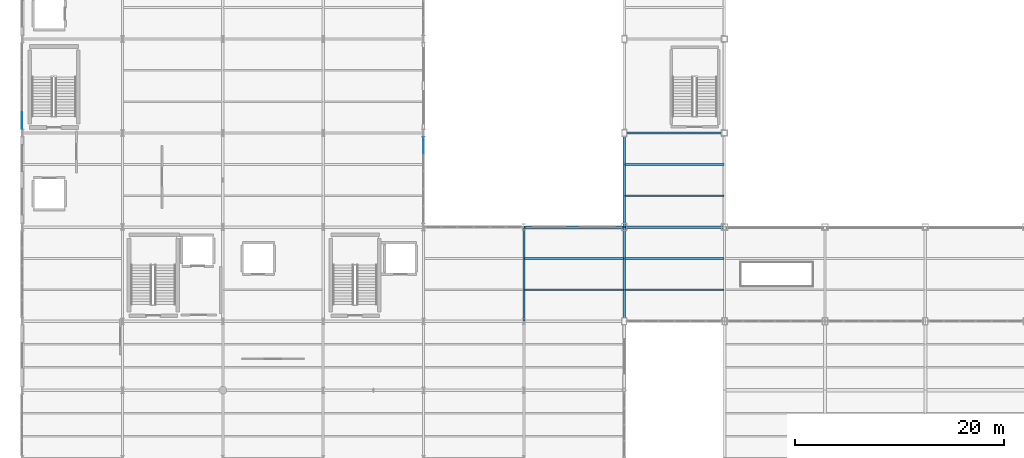
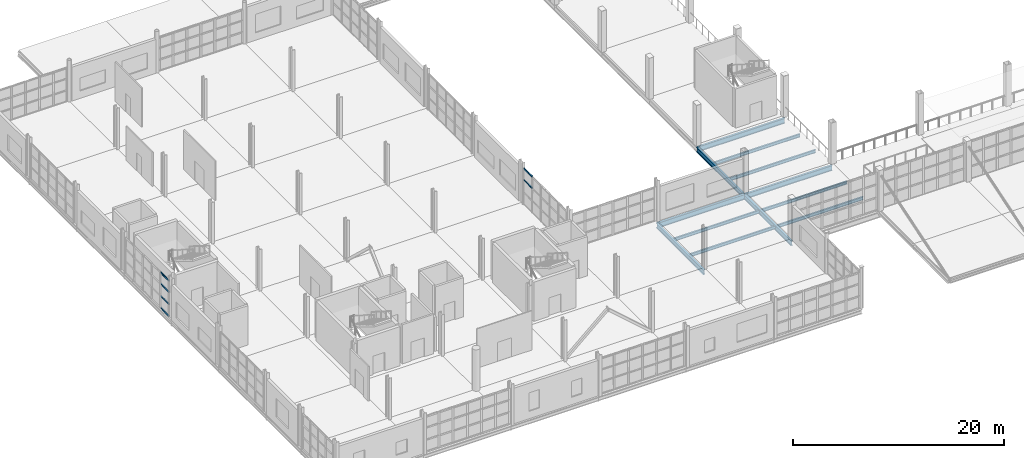
# One storey, part 21 of 120: 12 beams, 6 members, 2 elements without a shape of their own.
"""IFC4 building model written with IfcOpenShell, lengths in metres."""

from ifc_helpers import new_model, si_unit, direction, frame, origin, origin_2d, place, context, subcontext, project, spatial, rectangle, i_section, extrude, material, layer, layer_set, material_profile, profile_set, type_object, element, aggregate, save


model = new_model("IFC4")

# Units and contexts
model_context = context("Model", 3, precision=1e-05, world=origin(), true_north=direction((0.0, 1.0)))
body_context = subcontext(model_context, "Body", "Model", "MODEL_VIEW")
ifc_project = project(units=[si_unit("LENGTHUNIT", "METRE"), si_unit("AREAUNIT", "SQUARE_METRE"), si_unit("VOLUMEUNIT", "CUBIC_METRE"), si_unit("PLANEANGLEUNIT", "RADIAN"), si_unit("MASSUNIT", "GRAM", prefix="KILO")], contexts=[model_context])

# Site, building, storey
site_placement = place(None, origin())
site = spatial("IfcSite", under=ifc_project, at=site_placement, CompositionType="ELEMENT")
building_placement = place(site_placement, origin())
building = spatial("IfcBuilding", under=site, at=building_placement, Name="Zarnetskaya Central Station", CompositionType="ELEMENT")
storey_placement = place(building_placement, frame((0.0, 0.0, 5.39990234375)))
storey = spatial("IfcBuildingStorey", under=building, at=storey_placement, Name="L01", CompositionType="ELEMENT", Elevation=5.39990234375)

# Beams
ifc_material_1 = material(Name="Steel S355", Category="steel")
ifc_material_profile_1 = material_profile(ifc_material_1, i_section(OverallWidth=0.169921875, OverallDepth=0.360107421875, WebThickness=0.008056640625, FlangeThickness=0.0126953125, FilletRadius=0.01806640625, at=origin_2d()), Name="IPE 360")
ifc_profile_set_1 = profile_set([ifc_material_profile_1], Name="Steel S355")
beam_type_1 = type_object("IfcBeamType", Name="BM-SEC-360", PredefinedType="BEAM", material=ifc_profile_set_1)
for number, where, z_axis, x_axis, name in (
    (1, (48.080078125, 16.199951171875, -0.4599609375), (1.0, 0.0, 0.0), (0.0, 1.0, 0.0), "Secondary floor beam SEC-L01-Z512-FG-34-1"),
    (2, (48.080078125, 19.199951171875, -0.4599609375), (1.0, 0.0, 0.0), (0.0, 1.0, 0.0), "Secondary floor beam SEC-L01-Z512-FG-34-2"),
):
    element("IfcBeam", number, at=place(storey_placement, frame(where, z_axis=z_axis, x_axis=x_axis)), inside=storey, type_object=beam_type_1, Name=name, PredefinedType="BEAM", context=body_context, shape_type="SweptSolid", body=[
        extrude(i_section(OverallWidth=0.169921875, OverallDepth=0.360107421875, WebThickness=0.008056640625, FlangeThickness=0.0126953125, FilletRadius=0.01806640625, at=origin_2d()), origin(), (0.0, 0.0, 1.0), 9.43994140625),
    ])
for number, where, z_axis, x_axis, name in (
    (3, (57.679931640625, 16.199951171875, -0.4599609375), (1.0, 0.0, 0.0), (0.0, 1.0, 0.0), "Secondary floor beam SEC-L01-Z512-GH-34-1"),
    (4, (57.679931640625, 19.199951171875, -0.4599609375), (1.0, 0.0, 0.0), (0.0, 1.0, 0.0), "Secondary floor beam SEC-L01-Z512-GH-34-2"),
    (5, (57.679931640625, 25.199951171875, -0.4599609375), (1.0, 0.0, 0.0), (0.0, 1.0, 0.0), "Secondary floor beam SEC-L01-Z512-GH-45-1"),
    (6, (57.679931640625, 28.199951171875, -0.4599609375), (1.0, 0.0, 0.0), (0.0, 1.0, 0.0), "Secondary floor beam SEC-L01-Z512-GH-45-2"),
):
    element("IfcBeam", number, at=place(storey_placement, frame(where, z_axis=z_axis, x_axis=x_axis)), inside=storey, type_object=beam_type_1, Name=name, PredefinedType="BEAM", context=body_context, shape_type="SweptSolid", body=[
        extrude(i_section(OverallWidth=0.169921875, OverallDepth=0.360107421875, WebThickness=0.008056640625, FlangeThickness=0.0126953125, FilletRadius=0.01806640625, at=origin_2d()), origin(), (0.0, 0.0, 1.0), 9.440185546875),
    ])

# Curtain wall, members
ifc_material_2 = material(Name="Low-E insulated glass", Category="glass")
ifc_layer = layer(ifc_material_2, 0.1640625, Name="Low-E insulated glass", Category="glass")
ifc_layer_set = layer_set([ifc_layer], Name="Low-E insulated glass")
curtain_wall_type = type_object("IfcCurtainWallType", Name="CW-SYS-07", PredefinedType="USERDEFINED", material=ifc_layer_set)
curtain_wall_1_placement = place(storey_placement, origin())
curtain_wall_1 = element("IfcCurtainWall", 7, at=curtain_wall_1_placement, inside=storey, type_object=curtain_wall_type, Name="Curtain wall CW-L01-003", ObjectType="CURTAIN WALL", PredefinedType="USERDEFINED")
ifc_material_3 = material(Name="Anodised aluminium", Category="aluminium")
ifc_material_profile_2 = material_profile(ifc_material_3, rectangle(XDim=0.070068359375, YDim=0.139892578125, at=origin_2d()), Name="ALU TRAN 70x140")
ifc_profile_set_2 = profile_set([ifc_material_profile_2], Name="Anodised aluminium")
member_type = type_object("IfcMemberType", Name="CW-TRAN-140", PredefinedType="USERDEFINED", material=ifc_profile_set_2)
member_1_placement = place(storey_placement, frame((0.0, 31.6201171875, 0.03515625), z_axis=(0.0, 1.0, 0.0), x_axis=(-1.0, 0.0, 0.0)))
member_1 = element("IfcMember", 8, at=member_1_placement, type_object=member_type, Name="CW-06 transom 1.1", ObjectType="TRANSOM", PredefinedType="USERDEFINED", context=body_context, shape_type="SweptSolid", body=[
    extrude(rectangle(XDim=0.070068359375, YDim=0.139892578125, at=origin_2d()), origin(), (0.0, 0.0, 1.0), 1.554931640625),
])
member_2_placement = place(storey_placement, frame((0.0, 31.6201171875, 1.408203125), z_axis=(0.0, 1.0, 0.0), x_axis=(-1.0, 0.0, 0.0)))
member_2 = element("IfcMember", 9, at=member_2_placement, type_object=member_type, Name="CW-06 transom 1.2", ObjectType="TRANSOM", PredefinedType="USERDEFINED", context=body_context, shape_type="SweptSolid", body=[
    extrude(rectangle(XDim=0.070068359375, YDim=0.139892578125, at=origin_2d()), origin(), (0.0, 0.0, 1.0), 1.554931640625),
])
member_3_placement = place(storey_placement, frame((0.0, 31.6201171875, 2.815185546875), z_axis=(0.0, 1.0, 0.0), x_axis=(-1.0, 0.0, 0.0)))
member_3 = element("IfcMember", 10, at=member_3_placement, type_object=member_type, Name="CW-06 transom 1.3", ObjectType="TRANSOM", PredefinedType="USERDEFINED", context=body_context, shape_type="SweptSolid", body=[
    extrude(rectangle(XDim=0.070068359375, YDim=0.139892578125, at=origin_2d()), origin(), (0.0, 0.0, 1.0), 1.554931640625),
])
member_4_placement = place(storey_placement, frame((0.0, 31.6201171875, 4.10498046875), z_axis=(0.0, 1.0, 0.0), x_axis=(-1.0, 0.0, 0.0)))
member_4 = element("IfcMember", 11, at=member_4_placement, type_object=member_type, Name="CW-06 transom 1.4", ObjectType="TRANSOM", PredefinedType="USERDEFINED", context=body_context, shape_type="SweptSolid", body=[
    extrude(rectangle(XDim=0.070068359375, YDim=0.139892578125, at=origin_2d()), origin(), (0.0, 0.0, 1.0), 1.554931640625),
])
aggregate(curtain_wall_1, [member_1, member_2, member_3, member_4])

curtain_wall_2_placement = place(storey_placement, origin())
curtain_wall_2 = element("IfcCurtainWall", 12, at=curtain_wall_2_placement, inside=storey, type_object=curtain_wall_type, Name="Curtain wall CW-L01-009", ObjectType="CURTAIN WALL", PredefinedType="USERDEFINED")
member_5_placement = place(storey_placement, frame((38.39990234375, 30.780029296875, 2.856201171875), z_axis=(0.0, -1.0, 0.0), x_axis=(1.0, 0.0, 0.0)))
member_5 = element("IfcMember", 13, at=member_5_placement, type_object=member_type, Name="CW-06 transom 1.3", ObjectType="TRANSOM", PredefinedType="USERDEFINED", context=body_context, shape_type="SweptSolid", body=[
    extrude(rectangle(XDim=0.070068359375, YDim=0.139892578125, at=origin_2d()), origin(), (0.0, 0.0, 1.0), 1.554931640625),
])
member_6_placement = place(storey_placement, frame((38.39990234375, 30.780029296875, 4.1650390625), z_axis=(0.0, -1.0, 0.0), x_axis=(1.0, 0.0, 0.0)))
member_6 = element("IfcMember", 14, at=member_6_placement, type_object=member_type, Name="CW-06 transom 1.4", ObjectType="TRANSOM", PredefinedType="USERDEFINED", context=body_context, shape_type="SweptSolid", body=[
    extrude(rectangle(XDim=0.070068359375, YDim=0.139892578125, at=origin_2d()), origin(), (0.0, 0.0, 1.0), 1.554931640625),
])
aggregate(curtain_wall_2, [member_5, member_6])

# Beams
ifc_material_profile_3 = material_profile(ifc_material_1, i_section(OverallWidth=0.2099609375, OverallDepth=0.550048828125, WebThickness=0.010986328125, FlangeThickness=0.01708984375, FilletRadius=0.02392578125, at=origin_2d()), Name="IPE 550")
ifc_profile_set_3 = profile_set([ifc_material_profile_3], Name="Steel S355")
beam_type_2 = type_object("IfcBeamType", Name="GD-FLR-550", PredefinedType="USERDEFINED", material=ifc_profile_set_3)
for number, where, z_axis, x_axis, name in (
    (15, (48.0, 13.199951171875, -0.554931640625), (0.0, 1.0, 0.0), (-1.0, 0.0, 0.0), "Grid girder GY-L01-F-34"),
    (16, (57.60009765625, 13.199951171875, -0.554931640625), (0.0, 1.0, 0.0), (-1.0, 0.0, 0.0), "Grid girder GY-L01-G-34"),
    (17, (57.60009765625, 22.199951171875, -0.554931640625), (0.0, 1.0, 0.0), (-1.0, 0.0, 0.0), "Grid girder GY-L01-G-45"),
):
    element("IfcBeam", number, at=place(storey_placement, frame(where, z_axis=z_axis, x_axis=x_axis)), inside=storey, type_object=beam_type_2, Name=name, ObjectType="GIRDER", PredefinedType="USERDEFINED", context=body_context, shape_type="SweptSolid", body=[
        extrude(i_section(OverallWidth=0.2099609375, OverallDepth=0.550048828125, WebThickness=0.010986328125, FlangeThickness=0.01708984375, FilletRadius=0.02392578125, at=origin_2d()), origin(), (0.0, 0.0, 1.0), 9.0),
    ])
ifc_material_profile_4 = material_profile(ifc_material_1, i_section(OverallWidth=0.219970703125, OverallDepth=0.60009765625, WebThickness=0.011962890625, FlangeThickness=0.01904296875, FilletRadius=0.02392578125, at=origin_2d()), Name="IPE 600")
ifc_profile_set_4 = profile_set([ifc_material_profile_4], Name="Steel S355")
beam_type_3 = type_object("IfcBeamType", Name="GD-FLR-600", PredefinedType="USERDEFINED", material=ifc_profile_set_4)
beam_placement = place(storey_placement, frame((48.0, 22.199951171875, -0.579833984375), z_axis=(1.0, 0.0, 0.0), x_axis=(0.0, 1.0, 0.0)))
element("IfcBeam", 18, at=beam_placement, inside=storey, type_object=beam_type_3, Name="Grid girder GX-L01-4-FG", ObjectType="GIRDER", PredefinedType="USERDEFINED", context=body_context, shape_type="SweptSolid", body=[
    extrude(i_section(OverallWidth=0.219970703125, OverallDepth=0.60009765625, WebThickness=0.011962890625, FlangeThickness=0.01904296875, FilletRadius=0.02392578125, at=origin_2d()), origin(), (0.0, 0.0, 1.0), 9.60009765625),
])
for number, where, z_axis, x_axis, name in (
    (19, (57.60009765625, 22.199951171875, -0.579833984375), (1.0, 0.0, 0.0), (0.0, 1.0, 0.0), "Grid girder GX-L01-4-GH"),
    (20, (57.60009765625, 31.199951171875, -0.579833984375), (1.0, 0.0, 0.0), (0.0, 1.0, 0.0), "Grid girder GX-L01-5-GH"),
):
    element("IfcBeam", number, at=place(storey_placement, frame(where, z_axis=z_axis, x_axis=x_axis)), inside=storey, type_object=beam_type_3, Name=name, ObjectType="GIRDER", PredefinedType="USERDEFINED", context=body_context, shape_type="SweptSolid", body=[
        extrude(i_section(OverallWidth=0.219970703125, OverallDepth=0.60009765625, WebThickness=0.011962890625, FlangeThickness=0.01904296875, FilletRadius=0.02392578125, at=origin_2d()), origin(), (0.0, 0.0, 1.0), 9.599853515625),
    ])

save(model, "model.ifc")
